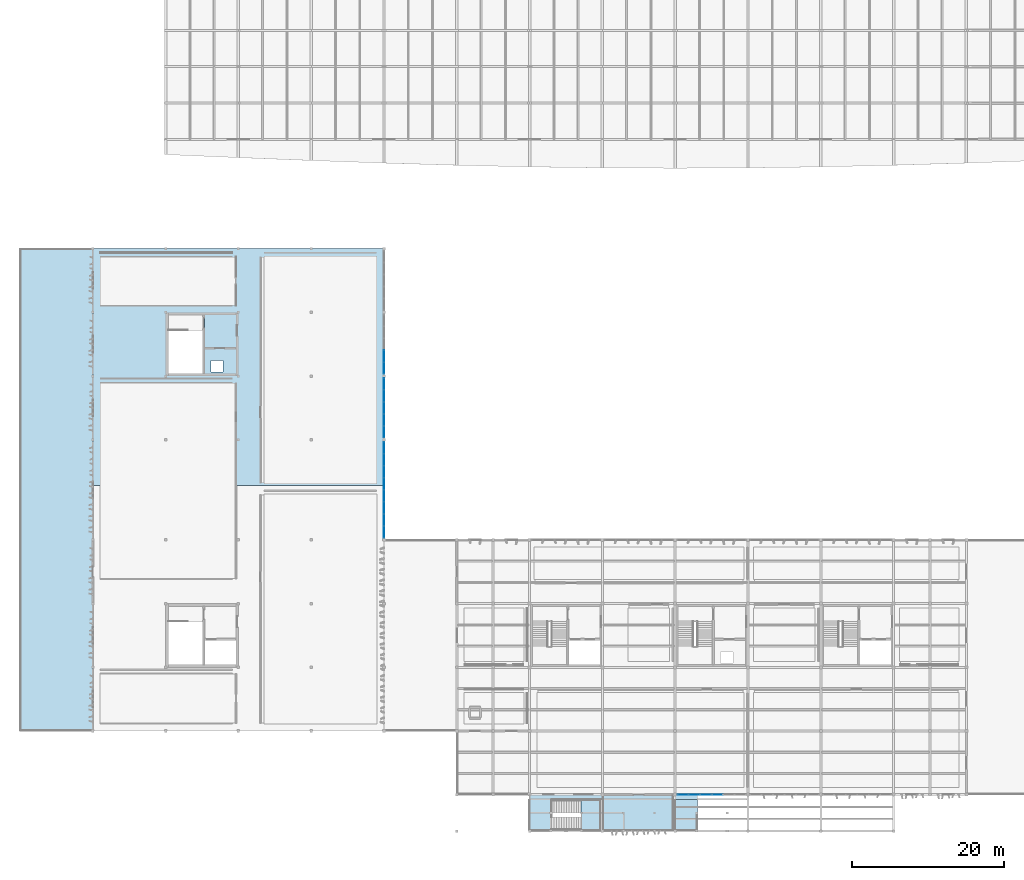
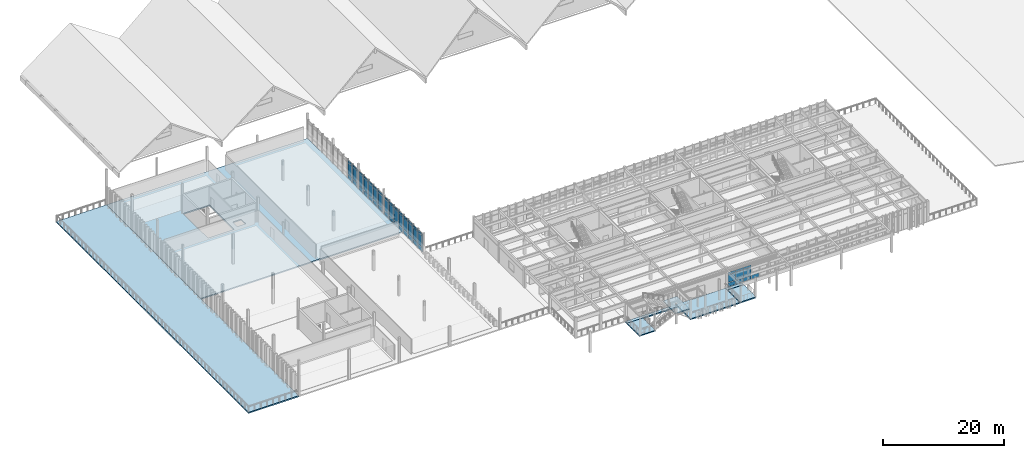
# One storey, part 18 of 42: 55 plates, 8 slabs, 5 elements without a shape of their own.
"""IFC4 building model written with IfcOpenShell, lengths in metres."""

from ifc_helpers import new_model, si_unit, direction, frame, origin, origin_2d, place, context, subcontext, project, spatial, polyline, rectangle, outline, extrude, material, layer, layer_set, type_object, element, aggregate, save


model = new_model("IFC4")

# Units and contexts
model_context = context("Model", 3, precision=1e-05, world=origin(), true_north=direction((0.0, 1.0)))
body_context = subcontext(model_context, "Body", "Model", "MODEL_VIEW")
ifc_project = project(units=[si_unit("LENGTHUNIT", "METRE"), si_unit("AREAUNIT", "SQUARE_METRE"), si_unit("VOLUMEUNIT", "CUBIC_METRE"), si_unit("PLANEANGLEUNIT", "RADIAN"), si_unit("MASSUNIT", "GRAM", prefix="KILO")], contexts=[model_context])

# Site, building, storey
site_placement = place(None, origin())
site = spatial("IfcSite", under=ifc_project, at=site_placement, CompositionType="ELEMENT")
building_placement = place(site_placement, origin())
building = spatial("IfcBuilding", under=site, at=building_placement, Name="Kolvemor Railside Polytechnic", CompositionType="ELEMENT")
storey_placement = place(building_placement, frame((0.0, 0.0, 14.39990234375)))
storey = spatial("IfcBuildingStorey", under=building, at=storey_placement, Name="L03", CompositionType="ELEMENT", Elevation=14.39990234375)

# Curtain wall, plates
ifc_material_1 = material(Name="Anodised marine aluminium and laminated low-E glass", Category="aluminium")
ifc_layer_1 = layer(ifc_material_1, 0.179931640625, Name="CW-UNIT-STD")
ifc_layer_set_1 = layer_set([ifc_layer_1], Name="Anodised marine aluminium and laminated low-E glass")
curtain_wall_type = type_object("IfcCurtainWallType", Name="CW-UNIT-STD", PredefinedType="USERDEFINED", material=ifc_layer_set_1)
curtain_wall_1_placement = place(storey_placement, origin())
curtain_wall_1 = element("IfcCurtainWall", 1, at=curtain_wall_1_placement, inside=storey, type_object=curtain_wall_type, Name="Curtain Wall L03-101", ObjectType="UNITISED CURTAIN WALL", PredefinedType="USERDEFINED")
ifc_material_2 = material(Name="Hurricane-laminated solar-control low-E glass", Category="glass")
ifc_layer_2 = layer(ifc_material_2, 0.033935546875, Name="CWP-GLZ-07")
ifc_layer_set_2 = layer_set([ifc_layer_2], Name="Hurricane-laminated solar-control low-E glass")
plate_type_1 = type_object("IfcPlateType", Name="CWP-GLZ-07", PredefinedType="CURTAIN_PANEL", material=ifc_layer_set_2)
plate_1_placement = place(storey_placement, frame((87.418701171875, 4.800048828125, 0.074951171875), z_axis=(0.0, 0.0, 1.0), x_axis=(1.0, 0.0, 0.0)))
plate_1 = element("IfcPlate", 2, at=plate_1_placement, type_object=plate_type_1, Name="CW-STD panel 1.1", PredefinedType="CURTAIN_PANEL", context=body_context, shape_type="SweptSolid", body=[
    extrude(rectangle(XDim=1.407470703125, YDim=0.033935546875, at=origin_2d()), origin(), (0.0, 0.0, 1.0), 0.78759765625),
])
plate_2_placement = place(storey_placement, frame((87.418701171875, 4.800048828125, 0.937744140625), z_axis=(0.0, 0.0, 1.0), x_axis=(1.0, 0.0, 0.0)))
plate_2 = element("IfcPlate", 3, at=plate_2_placement, type_object=plate_type_1, Name="CW-STD panel 1.2", PredefinedType="CURTAIN_PANEL", context=body_context, shape_type="SweptSolid", body=[
    extrude(rectangle(XDim=1.407470703125, YDim=0.033935546875, at=origin_2d()), origin(), (0.0, 0.0, 1.0), 1.52490234375),
])
plate_3_placement = place(storey_placement, frame((87.418701171875, 4.800048828125, 2.53759765625), z_axis=(0.0, 0.0, 1.0), x_axis=(1.0, 0.0, 0.0)))
plate_3 = element("IfcPlate", 4, at=plate_3_placement, type_object=plate_type_1, Name="CW-STD panel 1.3", PredefinedType="CURTAIN_PANEL", context=body_context, shape_type="SweptSolid", body=[
    extrude(rectangle(XDim=1.407470703125, YDim=0.033935546875, at=origin_2d()), origin(), (0.0, 0.0, 1.0), 0.4375),
])
plate_4_placement = place(storey_placement, frame((88.919921875, 4.800048828125, 0.074951171875), z_axis=(0.0, 0.0, 1.0), x_axis=(1.0, 0.0, 0.0)))
plate_4 = element("IfcPlate", 5, at=plate_4_placement, type_object=plate_type_1, Name="CW-STD panel 2.1", PredefinedType="CURTAIN_PANEL", context=body_context, shape_type="SweptSolid", body=[
    extrude(rectangle(XDim=1.445068359375, YDim=0.033935546875, at=origin_2d()), origin(), (0.0, 0.0, 1.0), 0.78759765625),
])
plate_5_placement = place(storey_placement, frame((88.919921875, 4.800048828125, 0.937744140625), z_axis=(0.0, 0.0, 1.0), x_axis=(1.0, 0.0, 0.0)))
plate_5 = element("IfcPlate", 6, at=plate_5_placement, type_object=plate_type_1, Name="CW-STD panel 2.2", PredefinedType="CURTAIN_PANEL", context=body_context, shape_type="SweptSolid", body=[
    extrude(rectangle(XDim=1.445068359375, YDim=0.033935546875, at=origin_2d()), origin(), (0.0, 0.0, 1.0), 1.52490234375),
])
plate_6_placement = place(storey_placement, frame((88.919921875, 4.800048828125, 2.53759765625), z_axis=(0.0, 0.0, 1.0), x_axis=(1.0, 0.0, 0.0)))
plate_6 = element("IfcPlate", 7, at=plate_6_placement, type_object=plate_type_1, Name="CW-STD panel 2.3", PredefinedType="CURTAIN_PANEL", context=body_context, shape_type="SweptSolid", body=[
    extrude(rectangle(XDim=1.445068359375, YDim=0.033935546875, at=origin_2d()), origin(), (0.0, 0.0, 1.0), 0.4375),
])
plate_7_placement = place(storey_placement, frame((90.43994140625, 4.800048828125, 0.074951171875), z_axis=(0.0, 0.0, 1.0), x_axis=(1.0, 0.0, 0.0)))
plate_7 = element("IfcPlate", 8, at=plate_7_placement, type_object=plate_type_1, Name="CW-STD panel 3.1", PredefinedType="CURTAIN_PANEL", context=body_context, shape_type="SweptSolid", body=[
    extrude(rectangle(XDim=1.445068359375, YDim=0.033935546875, at=origin_2d()), origin(), (0.0, 0.0, 1.0), 0.78759765625),
])
plate_8_placement = place(storey_placement, frame((90.43994140625, 4.800048828125, 0.937744140625), z_axis=(0.0, 0.0, 1.0), x_axis=(1.0, 0.0, 0.0)))
plate_8 = element("IfcPlate", 9, at=plate_8_placement, type_object=plate_type_1, Name="CW-STD panel 3.2", PredefinedType="CURTAIN_PANEL", context=body_context, shape_type="SweptSolid", body=[
    extrude(rectangle(XDim=1.445068359375, YDim=0.033935546875, at=origin_2d()), origin(), (0.0, 0.0, 1.0), 1.52490234375),
])
plate_9_placement = place(storey_placement, frame((90.43994140625, 4.800048828125, 2.53759765625), z_axis=(0.0, 0.0, 1.0), x_axis=(1.0, 0.0, 0.0)))
plate_9 = element("IfcPlate", 10, at=plate_9_placement, type_object=plate_type_1, Name="CW-STD panel 3.3", PredefinedType="CURTAIN_PANEL", context=body_context, shape_type="SweptSolid", body=[
    extrude(rectangle(XDim=1.445068359375, YDim=0.033935546875, at=origin_2d()), origin(), (0.0, 0.0, 1.0), 0.4375),
])
plate_10_placement = place(storey_placement, frame((91.9599609375, 4.800048828125, 0.074951171875), z_axis=(0.0, 0.0, 1.0), x_axis=(1.0, 0.0, 0.0)))
plate_10 = element("IfcPlate", 11, at=plate_10_placement, type_object=plate_type_1, Name="CW-STD panel 4.1", PredefinedType="CURTAIN_PANEL", context=body_context, shape_type="SweptSolid", body=[
    extrude(rectangle(XDim=1.445068359375, YDim=0.033935546875, at=origin_2d()), origin(), (0.0, 0.0, 1.0), 0.78759765625),
])
aggregate(curtain_wall_1, [plate_1, plate_2, plate_3, plate_4, plate_5, plate_6, plate_7, plate_8, plate_9, plate_10])

curtain_wall_2_placement = place(storey_placement, origin())
curtain_wall_2 = element("IfcCurtainWall", 12, at=curtain_wall_2_placement, inside=storey, type_object=curtain_wall_type, Name="Curtain Wall L03-058", ObjectType="UNITISED CURTAIN WALL", PredefinedType="USERDEFINED")
ifc_material_3 = material(Name="Hurricane-laminated solar-control low-E glass", Category="glass")
ifc_layer_3 = layer(ifc_material_3, 0.035888671875, Name="CWP-GLZ-08")
ifc_layer_set_3 = layer_set([ifc_layer_3], Name="Hurricane-laminated solar-control low-E glass")
plate_type_2 = type_object("IfcPlateType", Name="CWP-GLZ-08", PredefinedType="CURTAIN_PANEL", material=ifc_layer_set_3)
plate_11_placement = place(storey_placement, frame((48.0, 39.451171875, 0.06494140625), z_axis=(0.0, 0.0, 1.0), x_axis=(0.0, 1.0, 0.0)))
plate_11 = element("IfcPlate", 13, at=plate_11_placement, type_object=plate_type_2, Name="CW-STD panel 1.1", PredefinedType="CURTAIN_PANEL", context=body_context, shape_type="SweptSolid", body=[
    extrude(rectangle(XDim=1.492431640625, YDim=0.035888671875, at=origin_2d()), origin(), (0.0, 0.0, 1.0), 0.802490234375),
])
plate_12_placement = place(storey_placement, frame((48.0, 39.451171875, 0.9326171875), z_axis=(0.0, 0.0, 1.0), x_axis=(0.0, 1.0, 0.0)))
plate_12 = element("IfcPlate", 14, at=plate_12_placement, type_object=plate_type_2, Name="CW-STD panel 1.2", PredefinedType="CURTAIN_PANEL", context=body_context, shape_type="SweptSolid", body=[
    extrude(rectangle(XDim=1.492431640625, YDim=0.035888671875, at=origin_2d()), origin(), (0.0, 0.0, 1.0), 2.284912109375),
])
plate_13_placement = place(storey_placement, frame((48.0, 39.451171875, 3.28271484375), z_axis=(0.0, 0.0, 1.0), x_axis=(0.0, 1.0, 0.0)))
plate_13 = element("IfcPlate", 15, at=plate_13_placement, type_object=plate_type_2, Name="CW-STD panel 1.3", PredefinedType="CURTAIN_PANEL", context=body_context, shape_type="SweptSolid", body=[
    extrude(rectangle(XDim=1.492431640625, YDim=0.035888671875, at=origin_2d()), origin(), (0.0, 0.0, 1.0), 0.452392578125),
])
plate_14_placement = place(storey_placement, frame((48.0, 41.02490234375, 0.06494140625), z_axis=(0.0, 0.0, 1.0), x_axis=(0.0, 1.0, 0.0)))
plate_14 = element("IfcPlate", 16, at=plate_14_placement, type_object=plate_type_2, Name="CW-STD panel 2.1", PredefinedType="CURTAIN_PANEL", context=body_context, shape_type="SweptSolid", body=[
    extrude(rectangle(XDim=1.52490234375, YDim=0.035888671875, at=origin_2d()), origin(), (0.0, 0.0, 1.0), 0.802490234375),
])
plate_15_placement = place(storey_placement, frame((48.0, 41.02490234375, 0.9326171875), z_axis=(0.0, 0.0, 1.0), x_axis=(0.0, 1.0, 0.0)))
plate_15 = element("IfcPlate", 17, at=plate_15_placement, type_object=plate_type_2, Name="CW-STD panel 2.2", PredefinedType="CURTAIN_PANEL", context=body_context, shape_type="SweptSolid", body=[
    extrude(rectangle(XDim=1.52490234375, YDim=0.035888671875, at=origin_2d()), origin(), (0.0, 0.0, 1.0), 2.284912109375),
])
plate_16_placement = place(storey_placement, frame((48.0, 41.02490234375, 3.28271484375), z_axis=(0.0, 0.0, 1.0), x_axis=(0.0, 1.0, 0.0)))
plate_16 = element("IfcPlate", 18, at=plate_16_placement, type_object=plate_type_2, Name="CW-STD panel 2.3", PredefinedType="CURTAIN_PANEL", context=body_context, shape_type="SweptSolid", body=[
    extrude(rectangle(XDim=1.52490234375, YDim=0.035888671875, at=origin_2d()), origin(), (0.0, 0.0, 1.0), 0.452392578125),
])
plate_17_placement = place(storey_placement, frame((48.0, 42.614990234375, 0.06494140625), z_axis=(0.0, 0.0, 1.0), x_axis=(0.0, 1.0, 0.0)))
plate_17 = element("IfcPlate", 19, at=plate_17_placement, type_object=plate_type_2, Name="CW-STD panel 3.1", PredefinedType="CURTAIN_PANEL", context=body_context, shape_type="SweptSolid", body=[
    extrude(rectangle(XDim=1.52490234375, YDim=0.035888671875, at=origin_2d()), origin(), (0.0, 0.0, 1.0), 0.802490234375),
])
plate_18_placement = place(storey_placement, frame((48.0, 42.614990234375, 0.9326171875), z_axis=(0.0, 0.0, 1.0), x_axis=(0.0, 1.0, 0.0)))
plate_18 = element("IfcPlate", 20, at=plate_18_placement, type_object=plate_type_2, Name="CW-STD panel 3.2", PredefinedType="CURTAIN_PANEL", context=body_context, shape_type="SweptSolid", body=[
    extrude(rectangle(XDim=1.52490234375, YDim=0.035888671875, at=origin_2d()), origin(), (0.0, 0.0, 1.0), 2.284912109375),
])
plate_19_placement = place(storey_placement, frame((48.0, 42.614990234375, 3.28271484375), z_axis=(0.0, 0.0, 1.0), x_axis=(0.0, 1.0, 0.0)))
plate_19 = element("IfcPlate", 21, at=plate_19_placement, type_object=plate_type_2, Name="CW-STD panel 3.3", PredefinedType="CURTAIN_PANEL", context=body_context, shape_type="SweptSolid", body=[
    extrude(rectangle(XDim=1.52490234375, YDim=0.035888671875, at=origin_2d()), origin(), (0.0, 0.0, 1.0), 0.452392578125),
])
plate_20_placement = place(storey_placement, frame((48.0, 44.205078125, 0.06494140625), z_axis=(0.0, 0.0, 1.0), x_axis=(0.0, 1.0, 0.0)))
plate_20 = element("IfcPlate", 22, at=plate_20_placement, type_object=plate_type_2, Name="CW-STD panel 4.1", PredefinedType="CURTAIN_PANEL", context=body_context, shape_type="SweptSolid", body=[
    extrude(rectangle(XDim=1.52490234375, YDim=0.035888671875, at=origin_2d()), origin(), (0.0, 0.0, 1.0), 0.802490234375),
])
plate_21_placement = place(storey_placement, frame((48.0, 44.205078125, 0.9326171875), z_axis=(0.0, 0.0, 1.0), x_axis=(0.0, 1.0, 0.0)))
plate_21 = element("IfcPlate", 23, at=plate_21_placement, type_object=plate_type_2, Name="CW-STD panel 4.2", PredefinedType="CURTAIN_PANEL", context=body_context, shape_type="SweptSolid", body=[
    extrude(rectangle(XDim=1.52490234375, YDim=0.035888671875, at=origin_2d()), origin(), (0.0, 0.0, 1.0), 2.284912109375),
])
plate_22_placement = place(storey_placement, frame((48.0, 44.205078125, 3.28271484375), z_axis=(0.0, 0.0, 1.0), x_axis=(0.0, 1.0, 0.0)))
plate_22 = element("IfcPlate", 24, at=plate_22_placement, type_object=plate_type_2, Name="CW-STD panel 4.3", PredefinedType="CURTAIN_PANEL", context=body_context, shape_type="SweptSolid", body=[
    extrude(rectangle(XDim=1.52490234375, YDim=0.035888671875, at=origin_2d()), origin(), (0.0, 0.0, 1.0), 0.452392578125),
])
plate_23_placement = place(storey_placement, frame((48.0, 45.794921875, 0.06494140625), z_axis=(0.0, 0.0, 1.0), x_axis=(0.0, 1.0, 0.0)))
plate_23 = element("IfcPlate", 25, at=plate_23_placement, type_object=plate_type_2, Name="CW-STD panel 5.1", PredefinedType="CURTAIN_PANEL", context=body_context, shape_type="SweptSolid", body=[
    extrude(rectangle(XDim=1.52490234375, YDim=0.035888671875, at=origin_2d()), origin(), (0.0, 0.0, 1.0), 0.802490234375),
])
plate_24_placement = place(storey_placement, frame((48.0, 45.794921875, 0.9326171875), z_axis=(0.0, 0.0, 1.0), x_axis=(0.0, 1.0, 0.0)))
plate_24 = element("IfcPlate", 26, at=plate_24_placement, type_object=plate_type_2, Name="CW-STD panel 5.2", PredefinedType="CURTAIN_PANEL", context=body_context, shape_type="SweptSolid", body=[
    extrude(rectangle(XDim=1.52490234375, YDim=0.035888671875, at=origin_2d()), origin(), (0.0, 0.0, 1.0), 2.284912109375),
])
plate_25_placement = place(storey_placement, frame((48.0, 45.794921875, 3.28271484375), z_axis=(0.0, 0.0, 1.0), x_axis=(0.0, 1.0, 0.0)))
plate_25 = element("IfcPlate", 27, at=plate_25_placement, type_object=plate_type_2, Name="CW-STD panel 5.3", PredefinedType="CURTAIN_PANEL", context=body_context, shape_type="SweptSolid", body=[
    extrude(rectangle(XDim=1.52490234375, YDim=0.035888671875, at=origin_2d()), origin(), (0.0, 0.0, 1.0), 0.452392578125),
])
plate_26_placement = place(storey_placement, frame((48.0, 47.385009765625, 0.06494140625), z_axis=(0.0, 0.0, 1.0), x_axis=(0.0, 1.0, 0.0)))
plate_26 = element("IfcPlate", 28, at=plate_26_placement, type_object=plate_type_2, Name="CW-STD panel 6.1", PredefinedType="CURTAIN_PANEL", context=body_context, shape_type="SweptSolid", body=[
    extrude(rectangle(XDim=1.52490234375, YDim=0.035888671875, at=origin_2d()), origin(), (0.0, 0.0, 1.0), 0.802490234375),
])
plate_27_placement = place(storey_placement, frame((48.0, 47.385009765625, 0.9326171875), z_axis=(0.0, 0.0, 1.0), x_axis=(0.0, 1.0, 0.0)))
plate_27 = element("IfcPlate", 29, at=plate_27_placement, type_object=plate_type_2, Name="CW-STD panel 6.2", PredefinedType="CURTAIN_PANEL", context=body_context, shape_type="SweptSolid", body=[
    extrude(rectangle(XDim=1.52490234375, YDim=0.035888671875, at=origin_2d()), origin(), (0.0, 0.0, 1.0), 2.284912109375),
])
plate_28_placement = place(storey_placement, frame((48.0, 47.385009765625, 3.28271484375), z_axis=(0.0, 0.0, 1.0), x_axis=(0.0, 1.0, 0.0)))
plate_28 = element("IfcPlate", 30, at=plate_28_placement, type_object=plate_type_2, Name="CW-STD panel 6.3", PredefinedType="CURTAIN_PANEL", context=body_context, shape_type="SweptSolid", body=[
    extrude(rectangle(XDim=1.52490234375, YDim=0.035888671875, at=origin_2d()), origin(), (0.0, 0.0, 1.0), 0.452392578125),
])
plate_29_placement = place(storey_placement, frame((48.0, 48.97509765625, 0.06494140625), z_axis=(0.0, 0.0, 1.0), x_axis=(0.0, 1.0, 0.0)))
plate_29 = element("IfcPlate", 31, at=plate_29_placement, type_object=plate_type_2, Name="CW-STD panel 7.1", PredefinedType="CURTAIN_PANEL", context=body_context, shape_type="SweptSolid", body=[
    extrude(rectangle(XDim=1.52490234375, YDim=0.035888671875, at=origin_2d()), origin(), (0.0, 0.0, 1.0), 0.802490234375),
])
plate_30_placement = place(storey_placement, frame((48.0, 48.97509765625, 0.9326171875), z_axis=(0.0, 0.0, 1.0), x_axis=(0.0, 1.0, 0.0)))
plate_30 = element("IfcPlate", 32, at=plate_30_placement, type_object=plate_type_2, Name="CW-STD panel 7.2", PredefinedType="CURTAIN_PANEL", context=body_context, shape_type="SweptSolid", body=[
    extrude(rectangle(XDim=1.52490234375, YDim=0.035888671875, at=origin_2d()), origin(), (0.0, 0.0, 1.0), 2.284912109375),
])
plate_31_placement = place(storey_placement, frame((48.0, 48.97509765625, 3.28271484375), z_axis=(0.0, 0.0, 1.0), x_axis=(0.0, 1.0, 0.0)))
plate_31 = element("IfcPlate", 33, at=plate_31_placement, type_object=plate_type_2, Name="CW-STD panel 7.3", PredefinedType="CURTAIN_PANEL", context=body_context, shape_type="SweptSolid", body=[
    extrude(rectangle(XDim=1.52490234375, YDim=0.035888671875, at=origin_2d()), origin(), (0.0, 0.0, 1.0), 0.452392578125),
])
plate_32_placement = place(storey_placement, frame((48.0, 50.548828125, 0.06494140625), z_axis=(0.0, 0.0, 1.0), x_axis=(0.0, 1.0, 0.0)))
plate_32 = element("IfcPlate", 34, at=plate_32_placement, type_object=plate_type_2, Name="CW-STD panel 8.1", PredefinedType="CURTAIN_PANEL", context=body_context, shape_type="SweptSolid", body=[
    extrude(rectangle(XDim=1.492431640625, YDim=0.035888671875, at=origin_2d()), origin(), (0.0, 0.0, 1.0), 0.802490234375),
])
plate_33_placement = place(storey_placement, frame((48.0, 50.548828125, 0.9326171875), z_axis=(0.0, 0.0, 1.0), x_axis=(0.0, 1.0, 0.0)))
plate_33 = element("IfcPlate", 35, at=plate_33_placement, type_object=plate_type_2, Name="CW-STD panel 8.2", PredefinedType="CURTAIN_PANEL", context=body_context, shape_type="SweptSolid", body=[
    extrude(rectangle(XDim=1.492431640625, YDim=0.035888671875, at=origin_2d()), origin(), (0.0, 0.0, 1.0), 2.284912109375),
])
plate_34_placement = place(storey_placement, frame((48.0, 50.548828125, 3.28271484375), z_axis=(0.0, 0.0, 1.0), x_axis=(0.0, 1.0, 0.0)))
plate_34 = element("IfcPlate", 36, at=plate_34_placement, type_object=plate_type_2, Name="CW-STD panel 8.3", PredefinedType="CURTAIN_PANEL", context=body_context, shape_type="SweptSolid", body=[
    extrude(rectangle(XDim=1.492431640625, YDim=0.035888671875, at=origin_2d()), origin(), (0.0, 0.0, 1.0), 0.452392578125),
])
aggregate(curtain_wall_2, [plate_11, plate_12, plate_13, plate_14, plate_15, plate_16, plate_17, plate_18, plate_19, plate_20, plate_21, plate_22, plate_23, plate_24, plate_25, plate_26, plate_27, plate_28, plate_29, plate_30, plate_31, plate_32, plate_33, plate_34])

curtain_wall_3_placement = place(storey_placement, origin())
curtain_wall_3 = element("IfcCurtainWall", 37, at=curtain_wall_3_placement, inside=storey, type_object=curtain_wall_type, Name="Curtain Wall L03-068", ObjectType="UNITISED CURTAIN WALL", PredefinedType="USERDEFINED")
ifc_material_4 = material(Name="Hurricane-laminated solar-control low-E glass", Category="glass")
ifc_layer_4 = layer(ifc_material_4, 0.0380859375, Name="CWP-GLZ-09")
ifc_layer_set_4 = layer_set([ifc_layer_4], Name="Hurricane-laminated solar-control low-E glass")
plate_type_3 = type_object("IfcPlateType", Name="CWP-GLZ-09", PredefinedType="CURTAIN_PANEL", material=ifc_layer_set_4)
plate_35_placement = place(storey_placement, frame((48.0, 52.648193359375, 0.06494140625), z_axis=(0.0, 0.0, 1.0), x_axis=(0.0, 1.0, 0.0)))
plate_35 = element("IfcPlate", 38, at=plate_35_placement, type_object=plate_type_3, Name="CW-STD panel 1.1", PredefinedType="CURTAIN_PANEL", context=body_context, shape_type="SweptSolid", body=[
    extrude(rectangle(XDim=1.486572265625, YDim=0.0380859375, at=origin_2d()), origin(), (0.0, 0.0, 1.0), 0.802490234375),
])
plate_36_placement = place(storey_placement, frame((48.0, 52.648193359375, 0.9326171875), z_axis=(0.0, 0.0, 1.0), x_axis=(0.0, 1.0, 0.0)))
plate_36 = element("IfcPlate", 39, at=plate_36_placement, type_object=plate_type_3, Name="CW-STD panel 1.2", PredefinedType="CURTAIN_PANEL", context=body_context, shape_type="SweptSolid", body=[
    extrude(rectangle(XDim=1.486572265625, YDim=0.0380859375, at=origin_2d()), origin(), (0.0, 0.0, 1.0), 2.284912109375),
])
plate_37_placement = place(storey_placement, frame((48.0, 52.648193359375, 3.28271484375), z_axis=(0.0, 0.0, 1.0), x_axis=(0.0, 1.0, 0.0)))
plate_37 = element("IfcPlate", 40, at=plate_37_placement, type_object=plate_type_3, Name="CW-STD panel 1.3", PredefinedType="CURTAIN_PANEL", context=body_context, shape_type="SweptSolid", body=[
    extrude(rectangle(XDim=1.486572265625, YDim=0.0380859375, at=origin_2d()), origin(), (0.0, 0.0, 1.0), 0.452392578125),
])
plate_38_placement = place(storey_placement, frame((48.0, 54.216064453125, 0.06494140625), z_axis=(0.0, 0.0, 1.0), x_axis=(0.0, 1.0, 0.0)))
plate_38 = element("IfcPlate", 41, at=plate_38_placement, type_object=plate_type_3, Name="CW-STD panel 2.1", PredefinedType="CURTAIN_PANEL", context=body_context, shape_type="SweptSolid", body=[
    extrude(rectangle(XDim=1.51904296875, YDim=0.0380859375, at=origin_2d()), origin(), (0.0, 0.0, 1.0), 0.802490234375),
])
plate_39_placement = place(storey_placement, frame((48.0, 54.216064453125, 0.9326171875), z_axis=(0.0, 0.0, 1.0), x_axis=(0.0, 1.0, 0.0)))
plate_39 = element("IfcPlate", 42, at=plate_39_placement, type_object=plate_type_3, Name="CW-STD panel 2.2", PredefinedType="CURTAIN_PANEL", context=body_context, shape_type="SweptSolid", body=[
    extrude(rectangle(XDim=1.51904296875, YDim=0.0380859375, at=origin_2d()), origin(), (0.0, 0.0, 1.0), 2.284912109375),
])
plate_40_placement = place(storey_placement, frame((48.0, 54.216064453125, 3.28271484375), z_axis=(0.0, 0.0, 1.0), x_axis=(0.0, 1.0, 0.0)))
plate_40 = element("IfcPlate", 43, at=plate_40_placement, type_object=plate_type_3, Name="CW-STD panel 2.3", PredefinedType="CURTAIN_PANEL", context=body_context, shape_type="SweptSolid", body=[
    extrude(rectangle(XDim=1.51904296875, YDim=0.0380859375, at=origin_2d()), origin(), (0.0, 0.0, 1.0), 0.452392578125),
])
plate_41_placement = place(storey_placement, frame((48.0, 55.800048828125, 0.06494140625), z_axis=(0.0, 0.0, 1.0), x_axis=(0.0, 1.0, 0.0)))
plate_41 = element("IfcPlate", 44, at=plate_41_placement, type_object=plate_type_3, Name="CW-STD panel 3.1", PredefinedType="CURTAIN_PANEL", context=body_context, shape_type="SweptSolid", body=[
    extrude(rectangle(XDim=1.51904296875, YDim=0.0380859375, at=origin_2d()), origin(), (0.0, 0.0, 1.0), 0.802490234375),
])
plate_42_placement = place(storey_placement, frame((48.0, 55.800048828125, 0.9326171875), z_axis=(0.0, 0.0, 1.0), x_axis=(0.0, 1.0, 0.0)))
plate_42 = element("IfcPlate", 45, at=plate_42_placement, type_object=plate_type_3, Name="CW-STD panel 3.2", PredefinedType="CURTAIN_PANEL", context=body_context, shape_type="SweptSolid", body=[
    extrude(rectangle(XDim=1.51904296875, YDim=0.0380859375, at=origin_2d()), origin(), (0.0, 0.0, 1.0), 2.284912109375),
])
plate_43_placement = place(storey_placement, frame((48.0, 55.800048828125, 3.28271484375), z_axis=(0.0, 0.0, 1.0), x_axis=(0.0, 1.0, 0.0)))
plate_43 = element("IfcPlate", 46, at=plate_43_placement, type_object=plate_type_3, Name="CW-STD panel 3.3", PredefinedType="CURTAIN_PANEL", context=body_context, shape_type="SweptSolid", body=[
    extrude(rectangle(XDim=1.51904296875, YDim=0.0380859375, at=origin_2d()), origin(), (0.0, 0.0, 1.0), 0.452392578125),
])
plate_44_placement = place(storey_placement, frame((48.0, 57.384033203125, 0.06494140625), z_axis=(0.0, 0.0, 1.0), x_axis=(0.0, 1.0, 0.0)))
plate_44 = element("IfcPlate", 47, at=plate_44_placement, type_object=plate_type_3, Name="CW-STD panel 4.1", PredefinedType="CURTAIN_PANEL", context=body_context, shape_type="SweptSolid", body=[
    extrude(rectangle(XDim=1.51904296875, YDim=0.0380859375, at=origin_2d()), origin(), (0.0, 0.0, 1.0), 0.802490234375),
])
plate_45_placement = place(storey_placement, frame((48.0, 57.384033203125, 0.9326171875), z_axis=(0.0, 0.0, 1.0), x_axis=(0.0, 1.0, 0.0)))
plate_45 = element("IfcPlate", 48, at=plate_45_placement, type_object=plate_type_3, Name="CW-STD panel 4.2", PredefinedType="CURTAIN_PANEL", context=body_context, shape_type="SweptSolid", body=[
    extrude(rectangle(XDim=1.51904296875, YDim=0.0380859375, at=origin_2d()), origin(), (0.0, 0.0, 1.0), 2.284912109375),
])
plate_46_placement = place(storey_placement, frame((48.0, 57.384033203125, 3.28271484375), z_axis=(0.0, 0.0, 1.0), x_axis=(0.0, 1.0, 0.0)))
plate_46 = element("IfcPlate", 49, at=plate_46_placement, type_object=plate_type_3, Name="CW-STD panel 4.3", PredefinedType="CURTAIN_PANEL", context=body_context, shape_type="SweptSolid", body=[
    extrude(rectangle(XDim=1.51904296875, YDim=0.0380859375, at=origin_2d()), origin(), (0.0, 0.0, 1.0), 0.452392578125),
])
plate_47_placement = place(storey_placement, frame((48.0, 58.95166015625, 0.06494140625), z_axis=(0.0, 0.0, 1.0), x_axis=(0.0, 1.0, 0.0)))
plate_47 = element("IfcPlate", 50, at=plate_47_placement, type_object=plate_type_3, Name="CW-STD panel 5.1", PredefinedType="CURTAIN_PANEL", context=body_context, shape_type="SweptSolid", body=[
    extrude(rectangle(XDim=1.486572265625, YDim=0.0380859375, at=origin_2d()), origin(), (0.0, 0.0, 1.0), 0.802490234375),
])
plate_48_placement = place(storey_placement, frame((48.0, 58.95166015625, 0.9326171875), z_axis=(0.0, 0.0, 1.0), x_axis=(0.0, 1.0, 0.0)))
plate_48 = element("IfcPlate", 51, at=plate_48_placement, type_object=plate_type_3, Name="CW-STD panel 5.2", PredefinedType="CURTAIN_PANEL", context=body_context, shape_type="SweptSolid", body=[
    extrude(rectangle(XDim=1.486572265625, YDim=0.0380859375, at=origin_2d()), origin(), (0.0, 0.0, 1.0), 2.284912109375),
])
plate_49_placement = place(storey_placement, frame((48.0, 58.95166015625, 3.28271484375), z_axis=(0.0, 0.0, 1.0), x_axis=(0.0, 1.0, 0.0)))
plate_49 = element("IfcPlate", 52, at=plate_49_placement, type_object=plate_type_3, Name="CW-STD panel 5.3", PredefinedType="CURTAIN_PANEL", context=body_context, shape_type="SweptSolid", body=[
    extrude(rectangle(XDim=1.486572265625, YDim=0.0380859375, at=origin_2d()), origin(), (0.0, 0.0, 1.0), 0.452392578125),
])
aggregate(curtain_wall_3, [plate_35, plate_36, plate_37, plate_38, plate_39, plate_40, plate_41, plate_42, plate_43, plate_44, plate_45, plate_46, plate_47, plate_48, plate_49])

curtain_wall_4_placement = place(storey_placement, origin())
curtain_wall_4 = element("IfcCurtainWall", 53, at=curtain_wall_4_placement, inside=storey, type_object=curtain_wall_type, Name="Curtain Wall L03-078", ObjectType="UNITISED CURTAIN WALL", PredefinedType="USERDEFINED")
ifc_material_5 = material(Name="Hurricane-laminated solar-control low-E glass", Category="glass")
ifc_layer_5 = layer(ifc_material_5, 0.0400390625, Name="CWP-GLZ-10")
ifc_layer_set_5 = layer_set([ifc_layer_5], Name="Hurricane-laminated solar-control low-E glass")
plate_type_4 = type_object("IfcPlateType", Name="CWP-GLZ-10", PredefinedType="CURTAIN_PANEL", material=ifc_layer_set_5)
plate_50_placement = place(storey_placement, frame((48.0, 61.04833984375, 0.06494140625), z_axis=(0.0, 0.0, 1.0), x_axis=(0.0, 1.0, 0.0)))
plate_50 = element("IfcPlate", 54, at=plate_50_placement, type_object=plate_type_4, Name="CW-STD panel 1.1", PredefinedType="CURTAIN_PANEL", context=body_context, shape_type="SweptSolid", body=[
    extrude(rectangle(XDim=1.486572265625, YDim=0.0400390625, at=origin_2d()), origin(), (0.0, 0.0, 1.0), 0.802490234375),
])
plate_51_placement = place(storey_placement, frame((48.0, 61.04833984375, 0.9326171875), z_axis=(0.0, 0.0, 1.0), x_axis=(0.0, 1.0, 0.0)))
plate_51 = element("IfcPlate", 55, at=plate_51_placement, type_object=plate_type_4, Name="CW-STD panel 1.2", PredefinedType="CURTAIN_PANEL", context=body_context, shape_type="SweptSolid", body=[
    extrude(rectangle(XDim=1.486572265625, YDim=0.0400390625, at=origin_2d()), origin(), (0.0, 0.0, 1.0), 2.284912109375),
])
plate_52_placement = place(storey_placement, frame((48.0, 61.04833984375, 3.28271484375), z_axis=(0.0, 0.0, 1.0), x_axis=(0.0, 1.0, 0.0)))
plate_52 = element("IfcPlate", 56, at=plate_52_placement, type_object=plate_type_4, Name="CW-STD panel 1.3", PredefinedType="CURTAIN_PANEL", context=body_context, shape_type="SweptSolid", body=[
    extrude(rectangle(XDim=1.486572265625, YDim=0.0400390625, at=origin_2d()), origin(), (0.0, 0.0, 1.0), 0.452392578125),
])
plate_53_placement = place(storey_placement, frame((48.0, 62.615966796875, 0.06494140625), z_axis=(0.0, 0.0, 1.0), x_axis=(0.0, 1.0, 0.0)))
plate_53 = element("IfcPlate", 57, at=plate_53_placement, type_object=plate_type_4, Name="CW-STD panel 2.1", PredefinedType="CURTAIN_PANEL", context=body_context, shape_type="SweptSolid", body=[
    extrude(rectangle(XDim=1.51904296875, YDim=0.0400390625, at=origin_2d()), origin(), (0.0, 0.0, 1.0), 0.802490234375),
])
plate_54_placement = place(storey_placement, frame((48.0, 62.615966796875, 0.9326171875), z_axis=(0.0, 0.0, 1.0), x_axis=(0.0, 1.0, 0.0)))
plate_54 = element("IfcPlate", 58, at=plate_54_placement, type_object=plate_type_4, Name="CW-STD panel 2.2", PredefinedType="CURTAIN_PANEL", context=body_context, shape_type="SweptSolid", body=[
    extrude(rectangle(XDim=1.51904296875, YDim=0.0400390625, at=origin_2d()), origin(), (0.0, 0.0, 1.0), 2.284912109375),
])
plate_55_placement = place(storey_placement, frame((48.0, 62.615966796875, 3.28271484375), z_axis=(0.0, 0.0, 1.0), x_axis=(0.0, 1.0, 0.0)))
plate_55 = element("IfcPlate", 59, at=plate_55_placement, type_object=plate_type_4, Name="CW-STD panel 2.3", PredefinedType="CURTAIN_PANEL", context=body_context, shape_type="SweptSolid", body=[
    extrude(rectangle(XDim=1.51904296875, YDim=0.0400390625, at=origin_2d()), origin(), (0.0, 0.0, 1.0), 0.452392578125),
])
aggregate(curtain_wall_4, [plate_50, plate_51, plate_52, plate_53, plate_54, plate_55])

# Slabs
ifc_material_6 = material(Name="Cross-laminated timber CLT E1", Category="wood")
ifc_layer_6 = layer(ifc_material_6, 0.239990234375, Name="SLB-CLT-240")
ifc_layer_set_6 = layer_set([ifc_layer_6], Name="Cross-laminated timber CLT E1")
slab_type_1 = type_object("IfcSlabType", Name="SLB-CLT-240", PredefinedType="FLOOR", material=ifc_layer_set_6)
slab_1_placement = place(storey_placement, frame((0.0, 0.0, -0.239990234375)))
element("IfcSlab", 60, at=slab_1_placement, inside=storey, type_object=slab_type_1, Name="V3 Seminar L03 North Slab L03-77", PredefinedType="FLOOR", context=body_context, shape_type="SweptSolid", body=[
    extrude(outline(polyline([(9.60009765625, 45.60009765625), (48.0, 45.60009765625), (48.0, 76.800048828125), (9.60009765625, 76.800048828125), (9.60009765625, 45.60009765625)]), holes=[polyline([(19.340087890625, 60.139892578125), (24.31005859375, 60.139892578125), (24.31005859375, 68.260009765625), (19.340087890625, 68.260009765625), (19.340087890625, 60.139892578125)]), polyline([(25.199951171875, 60.550048828125), (26.800048828125, 60.550048828125), (26.800048828125, 62.050048828125), (25.199951171875, 62.050048828125), (25.199951171875, 60.550048828125)])]), origin(), (0.0, 0.0, 1.0), 0.239990234375),
])
ifc_material_7 = material(Name="Concrete C40/50", Category="concrete")
ifc_layer_7 = layer(ifc_material_7, 0.219970703125, Name="SLB-LND-170")
ifc_layer_set_7 = layer_set([ifc_layer_7], Name="Concrete C40/50")
slab_type_2 = type_object("IfcSlabType", Name="SLB-LND-170", PredefinedType="LANDING", material=ifc_layer_set_7)
slab_2_placement = place(storey_placement, frame((0.0, 0.0, -0.219970703125)))
element("IfcSlab", 61, at=slab_2_placement, inside=storey, type_object=slab_type_2, Name="External Zigzag Stair Arrival Landing L03", PredefinedType="LANDING", context=body_context, shape_type="SweptSolid", body=[
    extrude(outline(polyline([(86.300048828125, 0.050048828125), (89.35009765625, 0.050048828125), (89.35009765625, 4.14990234375), (86.300048828125, 4.14990234375), (86.300048828125, 0.050048828125)])), origin(), (0.0, 0.0, 1.0), 0.219970703125),
])
slab_3_placement = place(storey_placement, frame((0.0, 0.0, -0.219970703125)))
element("IfcSlab", 62, at=slab_3_placement, inside=storey, type_object=slab_type_2, Name="External Zigzag Stair Departure Landing L03", PredefinedType="LANDING", context=body_context, shape_type="SweptSolid", body=[
    extrude(outline(polyline([(67.10009765625, 0.050048828125), (70.14990234375, 0.050048828125), (70.14990234375, 4.14990234375), (67.10009765625, 4.14990234375), (67.10009765625, 0.050048828125)])), origin(), (0.0, 0.0, 1.0), 0.219970703125),
])
slab_4_placement = place(storey_placement, frame((0.0, 0.0, -0.219970703125)))
element("IfcSlab", 63, at=slab_4_placement, inside=storey, type_object=slab_type_2, Name="External Zigzag Rear Gallery L03-1", PredefinedType="LANDING", context=body_context, shape_type="SweptSolid", body=[
    extrude(outline(polyline([(67.10009765625, 4.159912109375), (76.780029296875, 4.159912109375), (76.780029296875, 4.780029296875), (67.10009765625, 4.780029296875), (67.10009765625, 4.159912109375)])), origin(), (0.0, 0.0, 1.0), 0.219970703125),
])
slab_5_placement = place(storey_placement, frame((0.0, 0.0, -0.219970703125)))
element("IfcSlab", 64, at=slab_5_placement, inside=storey, type_object=slab_type_2, Name="External Zigzag Rear Gallery L03-2", PredefinedType="LANDING", context=body_context, shape_type="SweptSolid", body=[
    extrude(outline(polyline([(86.219970703125, 4.159912109375), (89.35009765625, 4.159912109375), (89.35009765625, 4.780029296875), (86.219970703125, 4.780029296875), (86.219970703125, 4.159912109375)])), origin(), (0.0, 0.0, 1.0), 0.219970703125),
])

# Stair, slab
ifc_material_8 = material(Name="Steel S355", Category="steel")
stair_type = type_object("IfcStairType", Name="STR-EXT-ZIG", PredefinedType="HALF_TURN_STAIR", material=ifc_material_8)
stair_placement = place(storey_placement, origin())
stair = element("IfcStair", 65, at=stair_placement, inside=storey, type_object=stair_type, Name="External Zigzag Terrace Stair (L03 to L04)", PredefinedType="HALF_TURN_STAIR")
slab_6_placement = place(storey_placement, frame((0.0, 0.0, 1.880126953125)))
slab_6 = element("IfcSlab", 66, at=slab_6_placement, type_object=slab_type_2, Name="ST-EXT-L03 landing 1", PredefinedType="LANDING", context=body_context, shape_type="SweptSolid", body=[
    extrude(outline(polyline([(73.949951171875, 0.050048828125), (76.6201171875, 0.050048828125), (76.6201171875, 4.14990234375), (73.949951171875, 4.14990234375), (73.949951171875, 0.050048828125)])), origin(), (0.0, 0.0, 1.0), 0.219970703125),
])
aggregate(stair, [slab_6])

# Slabs
ifc_material_9 = material(Name="Cross-laminated timber CLT E1", Category="wood")
ifc_layer_8 = layer(ifc_material_9, 0.22998046875, Name="SLB-TER-230")
ifc_layer_set_8 = layer_set([ifc_layer_8], Name="Cross-laminated timber CLT E1")
slab_type_3 = type_object("IfcSlabType", Name="SLB-TER-230", PredefinedType="FLOOR", material=ifc_layer_set_8)
slab_7_placement = place(storey_placement, frame((0.0, 0.0, -0.22998046875)))
element("IfcSlab", 67, at=slab_7_placement, inside=storey, type_object=slab_type_3, Name="Shifted South Terrace L03 L03-94", PredefinedType="FLOOR", context=body_context, shape_type="SweptSolid", body=[
    extrude(outline(polyline([(76.800048828125, 0.0), (86.199951171875, 0.0), (86.199951171875, 4.800048828125), (76.800048828125, 4.800048828125), (76.800048828125, 0.0)])), origin(), (0.0, 0.0, 1.0), 0.22998046875),
])
ifc_material_10 = material(Name="Concrete C40/50", Category="concrete")
ifc_layer_9 = layer(ifc_material_10, 0.25, Name="SLB-TER-250")
ifc_layer_set_9 = layer_set([ifc_layer_9], Name="Concrete C40/50")
slab_type_4 = type_object("IfcSlabType", Name="SLB-TER-250", PredefinedType="FLOOR", material=ifc_layer_set_9)
slab_8_placement = place(storey_placement, frame((0.0, 0.0, -0.25)))
element("IfcSlab", 68, at=slab_8_placement, inside=storey, type_object=slab_type_4, Name="Corner Study Terrace V3-W L03-108", PredefinedType="FLOOR", context=body_context, shape_type="SweptSolid", body=[
    extrude(outline(polyline([(0.0, 13.199951171875), (9.60009765625, 13.199951171875), (9.60009765625, 76.800048828125), (0.0, 76.800048828125), (0.0, 13.199951171875)])), origin(), (0.0, 0.0, 1.0), 0.25),
])

save(model, "model.ifc")
